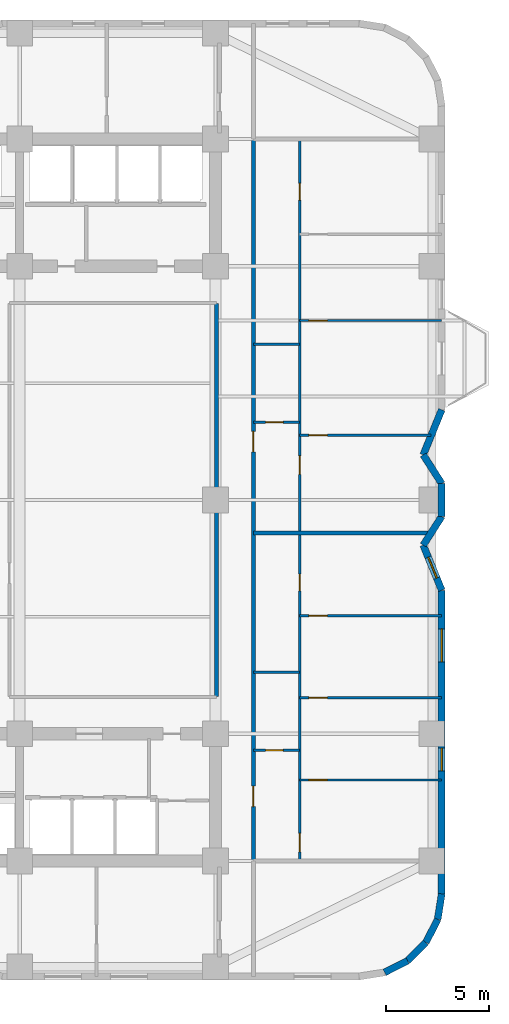
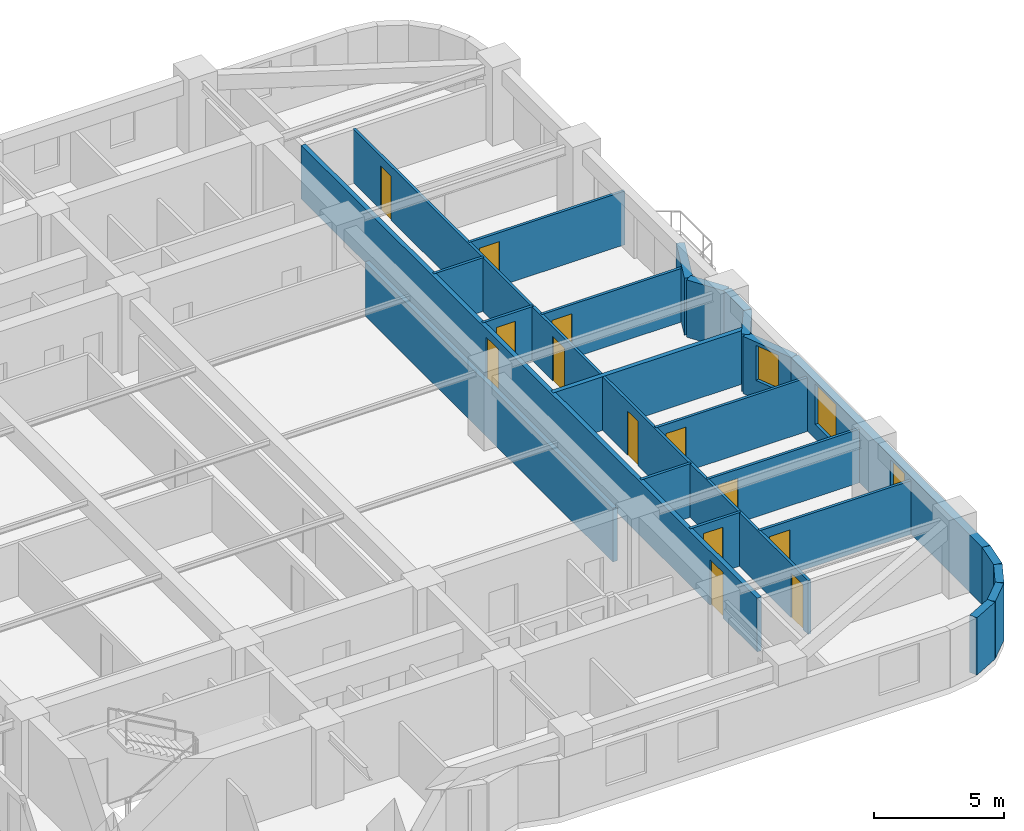
# One storey, part 5 of 10: 24 walls, 13 doors, 3 windows, 16 openings.
"""IFC4 building model written with IfcOpenShell, lengths in metres."""

from ifc_helpers import new_model, si_unit, direction, frame, frame_2d, origin, place, context, subcontext, project, spatial, rectangle, extrude, material, layer, layer_set, type_object, element, fill, save


model = new_model("IFC4")

# Units and contexts
model_context = context("Model", 3, precision=1e-05, world=origin(), true_north=direction((0.0, 1.0)))
body_context = subcontext(model_context, "Body", "Model", "MODEL_VIEW")
ifc_project = project(units=[si_unit("LENGTHUNIT", "METRE"), si_unit("AREAUNIT", "SQUARE_METRE"), si_unit("VOLUMEUNIT", "CUBIC_METRE"), si_unit("PLANEANGLEUNIT", "RADIAN"), si_unit("MASSUNIT", "GRAM", prefix="KILO")], contexts=[model_context])

# Site, building, storey
site_placement = place(None, origin())
site = spatial("IfcSite", under=ifc_project, at=site_placement, CompositionType="ELEMENT")
building_placement = place(site_placement, origin())
building = spatial("IfcBuilding", under=site, at=building_placement, Name="Svetorya Sky Lyceum", CompositionType="ELEMENT")
storey_placement = place(building_placement, frame((0.0, 0.0, 43.60009765625)))
storey = spatial("IfcBuildingStorey", under=building, at=storey_placement, Name="L10", CompositionType="ELEMENT", Elevation=43.60009765625)

# Walls
ifc_material_1 = material(Name="Putilovo limestone rainscreen on autoclaved cellular masonry", Category="masonry")
ifc_layer_1 = layer(ifc_material_1, 0.340087890625)
ifc_layer_set_1 = layer_set([ifc_layer_1], Name="Putilovo limestone rainscreen on autoclaved cellular masonry")
wall_type_1 = type_object("IfcWallType", Name="WL-EXT-340", PredefinedType="SOLIDWALL", material=ifc_layer_set_1)
for number, where, z_axis, x_axis, name in (
    (1, (61.04541015625, 5.167236328125, 0.0), (0.0, 0.0, 1.0), (0.890953769915, 0.454094020963, 0.0), "L10 Limestone Exterior Wall 13M"),
    (2, (62.168701171875, 5.73974609375, 0.0), (0.0, 0.0, 1.0), (0.707203598708, 0.707009950407, 0.0), "L10 Limestone Exterior Wall 14M"),
):
    element("IfcWall", number, at=place(storey_placement, frame(where, z_axis=z_axis, x_axis=x_axis)), inside=storey, type_object=wall_type_1, Name=name, PredefinedType="SOLIDWALL", context=body_context, shape_type="SweptSolid", body=[
        extrude(rectangle(XDim=1.2607421875, YDim=0.340087890625, at=frame_2d((0.63037109375, 0.0))), origin(), (0.0, 0.0, 1.0), 2.699951171875),
    ])
for number, where, z_axis, x_axis, name in (
    (3, (63.060302734375, 6.631103515625, 0.0), (0.0, 0.0, 1.0), (0.454015689056, 0.890993689142, 0.0), "L10 Limestone Exterior Wall 15M"),
    (4, (63.6328125, 7.754638671875, 0.0), (0.0, 0.0, 1.0), (0.15644975923, 0.987685918112, 0.0), "L10 Limestone Exterior Wall 16M"),
):
    element("IfcWall", number, at=place(storey_placement, frame(where, z_axis=z_axis, x_axis=x_axis)), inside=storey, type_object=wall_type_1, Name=name, PredefinedType="SOLIDWALL", context=body_context, shape_type="SweptSolid", body=[
        extrude(rectangle(XDim=1.260986328125, YDim=0.340087890625, at=frame_2d((0.63037109375, 0.0))), origin(), (0.0, 0.0, 1.0), 2.699951171875),
    ])

# Wall, openings, windows
wall_1_placement = place(storey_placement, frame((63.830078125, 9.0, 0.0), z_axis=(0.0, 0.0, 1.0), x_axis=(0.0, 1.0, 0.0)))
wall_1 = element("IfcWall", 5, at=wall_1_placement, inside=storey, type_object=wall_type_1, Name="L10 Limestone Exterior Wall 17M", PredefinedType="SOLIDWALL", context=body_context, shape_type="SweptSolid", body=[
    extrude(rectangle(XDim=14.800048828125, YDim=0.340087890625, at=frame_2d((7.39990234375, 0.0))), origin(), (0.0, 0.0, 1.0), 2.699951171875),
])
opening_1_placement = place(wall_1_placement, frame((6.0, 0.0, 0.889892578125)))
opening_1 = element("IfcOpeningElement", 6, at=opening_1_placement, cuts=wall_1, Name="Opening W-R3", PredefinedType="OPENING", context=body_context, shape_type="SweptSolid", body=[
    extrude(rectangle(XDim=1.10009765625, YDim=1.64990234375, at=frame_2d((0.550048828125, 0.824951171875))), frame((0.0, 0.179931640625, 0.0), z_axis=(0.0, -1.0, 0.0), x_axis=(1.0, 0.0, 0.0)), (0.0, 0.0, 1.0), 0.360107421875),
])
opening_2_placement = place(wall_1_placement, frame((11.3125, 0.0, 0.679931640625)))
opening_2 = element("IfcOpeningElement", 7, at=opening_2_placement, cuts=wall_1, Name="Opening W-R4", PredefinedType="OPENING", context=body_context, shape_type="SweptSolid", body=[
    extrude(rectangle(XDim=1.60009765625, YDim=1.89990234375, at=frame_2d((0.800048828125, 0.949951171875))), frame((0.0, 0.179931640625, 0.0), z_axis=(0.0, -1.0, 0.0), x_axis=(1.0, 0.0, 0.0)), (0.0, 0.0, 1.0), 0.360107421875),
])
ifc_material_2 = material(Name="Thermally broken aluminium frame with triple low-E glazing", Category="aluminium")
window_type_1 = type_object("IfcWindowType", Name="WN-RES-110", PartitioningType="SINGLE_PANEL", PredefinedType="WINDOW", material=ifc_material_2)
window_1_placement = place(opening_1_placement, origin())
window_1 = element("IfcWindow", 8, at=window_1_placement, inside=storey, type_object=window_type_1, Name="L10 Facade Window W-R3.17M.2", OverallHeight=1.64990234375, OverallWidth=1.10009765625, PartitioningType="SINGLE_PANEL", PredefinedType="WINDOW", context=body_context, shape_type="SweptSolid", body=[
    extrude(rectangle(XDim=1.10009765625, YDim=1.64990234375, at=frame_2d((0.550048828125, 0.824951171875))), frame((0.0, 0.030029296875, 0.0), z_axis=(0.0, -1.0, 0.0), x_axis=(1.0, 0.0, 0.0)), (0.0, 0.0, 1.0), 0.06005859375),
])
fill(opening_1, window_1)
window_type_2 = type_object("IfcWindowType", Name="WN-RES-160", PartitioningType="DOUBLE_PANEL_VERTICAL", PredefinedType="WINDOW", material=ifc_material_2)
window_2_placement = place(opening_2_placement, origin())
window_2 = element("IfcWindow", 9, at=window_2_placement, inside=storey, type_object=window_type_2, Name="L10 Facade Window W-R4.17M.1", OverallHeight=1.89990234375, OverallWidth=1.60009765625, PartitioningType="SINGLE_PANEL", PredefinedType="WINDOW", context=body_context, shape_type="SweptSolid", body=[
    extrude(rectangle(XDim=1.60009765625, YDim=1.89990234375, at=frame_2d((0.800048828125, 0.949951171875))), frame((0.0, 0.030029296875, 0.0), z_axis=(0.0, -1.0, 0.0), x_axis=(1.0, 0.0, 0.0)), (0.0, 0.0, 1.0), 0.06005859375),
])
fill(opening_2, window_2)

# Wall, opening, window
wall_2_placement = place(storey_placement, frame((63.830078125, 23.800048828125, 0.0), z_axis=(0.0, 0.0, 1.0), x_axis=(-0.378692835005, 0.925522412865, 0.0)))
wall_2 = element("IfcWall", 10, at=wall_2_placement, inside=storey, type_object=wall_type_1, Name="L10 Limestone Exterior Wall 18M", PredefinedType="SOLIDWALL", context=body_context, shape_type="SweptSolid", body=[
    extrude(rectangle(XDim=2.376953125, YDim=0.340087890625, at=frame_2d((1.1884765625, 0.0))), origin(), (0.0, 0.0, 1.0), 2.699951171875),
])
opening_3_placement = place(wall_2_placement, frame((0.638427734375, 0.0, 0.889892578125)))
opening_3 = element("IfcOpeningElement", 11, at=opening_3_placement, cuts=wall_2, Name="Opening W-R3", PredefinedType="OPENING", context=body_context, shape_type="SweptSolid", body=[
    extrude(rectangle(XDim=1.10009765625, YDim=1.64990234375, at=frame_2d((0.550048828125, 0.824951171875))), frame((0.0, 0.179931640625, 0.0), z_axis=(0.0, -1.0, 0.0), x_axis=(1.0, 0.0, 0.0)), (0.0, 0.0, 1.0), 0.360107421875),
])
window_3_placement = place(opening_3_placement, origin())
window_3 = element("IfcWindow", 12, at=window_3_placement, inside=storey, type_object=window_type_1, Name="L10 Facade Window W-R3.18M.1", OverallHeight=1.64990234375, OverallWidth=1.10009765625, PartitioningType="SINGLE_PANEL", PredefinedType="WINDOW", context=body_context, shape_type="SweptSolid", body=[
    extrude(rectangle(XDim=1.10009765625, YDim=1.64990234375, at=frame_2d((0.550048828125, 0.824951171875))), frame((0.0, 0.030029296875, 0.0), z_axis=(0.0, -1.0, 0.0), x_axis=(1.0, 0.0, 0.0)), (0.0, 0.0, 1.0), 0.06005859375),
])
fill(opening_3, window_3)

# Walls
wall_3_placement = place(storey_placement, frame((62.929931640625, 26.0, 0.0), z_axis=(0.0, 0.0, 1.0), x_axis=(0.540846555596, 0.841121277403, 0.0)))
element("IfcWall", 13, at=wall_3_placement, inside=storey, type_object=wall_type_1, Name="L10 Limestone Exterior Wall 19M", PredefinedType="SOLIDWALL", context=body_context, shape_type="SweptSolid", body=[
    extrude(rectangle(XDim=1.664306640625, YDim=0.340087890625, at=frame_2d((0.83203125, 0.0))), origin(), (0.0, 0.0, 1.0), 2.699951171875),
])
wall_4_placement = place(storey_placement, frame((63.830078125, 27.39990234375, 0.0), z_axis=(0.0, 0.0, 1.0), x_axis=(0.0, 1.0, 0.0)))
element("IfcWall", 14, at=wall_4_placement, inside=storey, type_object=wall_type_1, Name="L10 Limestone Exterior Wall 20M", PredefinedType="SOLIDWALL", context=body_context, shape_type="SweptSolid", body=[
    extrude(rectangle(XDim=1.60009765625, YDim=0.340087890625, at=frame_2d((0.800048828125, 0.0))), origin(), (0.0, 0.0, 1.0), 2.699951171875),
])
wall_5_placement = place(storey_placement, frame((63.830078125, 29.0, 0.0), z_axis=(0.0, 0.0, 1.0), x_axis=(-0.540846555596, 0.841121277403, 0.0)))
element("IfcWall", 15, at=wall_5_placement, inside=storey, type_object=wall_type_1, Name="L10 Limestone Exterior Wall 21M", PredefinedType="SOLIDWALL", context=body_context, shape_type="SweptSolid", body=[
    extrude(rectangle(XDim=1.664306640625, YDim=0.340087890625, at=frame_2d((0.83203125, 0.0))), origin(), (0.0, 0.0, 1.0), 2.699951171875),
])
wall_6_placement = place(storey_placement, frame((62.929931640625, 30.39990234375, 0.0), z_axis=(0.0, 0.0, 1.0), x_axis=(0.378656839344, 0.925537140269, 0.0)))
element("IfcWall", 16, at=wall_6_placement, inside=storey, type_object=wall_type_1, Name="L10 Limestone Exterior Wall 22M", PredefinedType="SOLIDWALL", context=body_context, shape_type="SweptSolid", body=[
    extrude(rectangle(XDim=2.377197265625, YDim=0.340087890625, at=frame_2d((1.1884765625, 0.0))), origin(), (0.0, 0.0, 1.0), 2.699951171875),
])

# Wall, opening, door
ifc_material_3 = material(Name="Twin-stud galvanized framing with double fireboard", Category="gypsum")
ifc_layer_2 = layer(ifc_material_3, 0.1201171875)
ifc_layer_set_2 = layer_set([ifc_layer_2], Name="Twin-stud galvanized framing with double fireboard")
wall_type_2 = type_object("IfcWallType", Name="WL-PART-120", PredefinedType="PARTITIONING", material=ifc_layer_set_2)
wall_7_placement = place(storey_placement, frame((54.64990234375, 16.0, 0.0), z_axis=(0.0, 0.0, 1.0), x_axis=(1.0, 0.0, 0.0)))
wall_7 = element("IfcWall", 17, at=wall_7_placement, inside=storey, type_object=wall_type_2, Name="L10 Interior Partition E1-WH1", PredefinedType="PARTITIONING", context=body_context, shape_type="SweptSolid", body=[
    extrude(rectangle(XDim=2.25, YDim=0.1201171875, at=frame_2d((1.125, 0.0))), origin(), (0.0, 0.0, 1.0), 2.52978515625),
])
opening_4_placement = place(wall_7_placement, frame((0.60009765625, 0.0, 0.0)))
opening_4 = element("IfcOpeningElement", 18, at=opening_4_placement, cuts=wall_7, Name="Opening D-BT1", PredefinedType="OPENING", context=body_context, shape_type="SweptSolid", body=[
    extrude(rectangle(XDim=0.85009765625, YDim=2.10009765625, at=frame_2d((0.425048828125, 1.050048828125))), frame((0.0, 0.070068359375, 0.0), z_axis=(0.0, -1.0, 0.0), x_axis=(1.0, 0.0, 0.0)), (0.0, 0.0, 1.0), 0.14013671875),
])
ifc_material_4 = material(Name="Moisture-resistant laminate bathroom door")
door_type_1 = type_object("IfcDoorType", Name="DR-WET-850", OperationType="SINGLE_SWING_LEFT", PredefinedType="DOOR", material=ifc_material_4)
door_1_placement = place(opening_4_placement, origin())
door_1 = element("IfcDoor", 19, at=door_1_placement, inside=storey, type_object=door_type_1, Name="Apartment E1 Bathroom Door", OperationType="SINGLE_SWING_RIGHT", OverallHeight=2.10009765625, OverallWidth=0.85009765625, PredefinedType="DOOR", context=body_context, shape_type="SweptSolid", body=[
    extrude(rectangle(XDim=0.85009765625, YDim=2.10009765625, at=frame_2d((0.425048828125, 1.050048828125))), frame((0.0, 0.02490234375, 0.0), z_axis=(0.0, -1.0, 0.0), x_axis=(1.0, 0.0, 0.0)), (0.0, 0.0, 1.0), 0.050048828125),
])
fill(opening_4, door_1)

# Wall
wall_8_placement = place(storey_placement, frame((54.64990234375, 19.800048828125, 0.0), z_axis=(0.0, 0.0, 1.0), x_axis=(1.0, 0.0, 0.0)))
element("IfcWall", 20, at=wall_8_placement, inside=storey, type_object=wall_type_2, Name="L10 Interior Partition E1-WH2", PredefinedType="PARTITIONING", context=body_context, shape_type="SweptSolid", body=[
    extrude(rectangle(XDim=2.25, YDim=0.1201171875, at=frame_2d((1.125, 0.0))), origin(), (0.0, 0.0, 1.0), 2.52978515625),
])

# Wall, opening, door
wall_9_placement = place(storey_placement, frame((56.89990234375, 14.550048828125, 0.0), z_axis=(0.0, 0.0, 1.0), x_axis=(1.0, 0.0, 0.0)))
wall_9 = element("IfcWall", 21, at=wall_9_placement, inside=storey, type_object=wall_type_2, Name="L10 Interior Partition E1-WL1", PredefinedType="PARTITIONING", context=body_context, shape_type="SweptSolid", body=[
    extrude(rectangle(XDim=6.93017578125, YDim=0.1201171875, at=frame_2d((3.465087890625, 0.0))), origin(), (0.0, 0.0, 1.0), 2.52978515625),
])
opening_5_placement = place(wall_9_placement, frame((0.449951171875, 0.0, 0.0)))
opening_5 = element("IfcOpeningElement", 22, at=opening_5_placement, cuts=wall_9, Name="Opening D-RM1", PredefinedType="OPENING", context=body_context, shape_type="SweptSolid", body=[
    extrude(rectangle(XDim=0.89990234375, YDim=2.10009765625, at=frame_2d((0.449951171875, 1.050048828125))), frame((0.0, 0.070068359375, 0.0), z_axis=(0.0, -1.0, 0.0), x_axis=(1.0, 0.0, 0.0)), (0.0, 0.0, 1.0), 0.14013671875),
])
ifc_material_5 = material(Name="Lacquered birch veneer internal door")
door_type_2 = type_object("IfcDoorType", Name="DR-INT-900", OperationType="SINGLE_SWING_LEFT", PredefinedType="DOOR", material=ifc_material_5)
door_2_placement = place(opening_5_placement, origin())
door_2 = element("IfcDoor", 23, at=door_2_placement, inside=storey, type_object=door_type_2, Name="Apartment E1 Master Bedroom Door", OperationType="SINGLE_SWING_RIGHT", OverallHeight=2.10009765625, OverallWidth=0.89990234375, PredefinedType="DOOR", context=body_context, shape_type="SweptSolid", body=[
    extrude(rectangle(XDim=0.89990234375, YDim=2.10009765625, at=frame_2d((0.449951171875, 1.050048828125))), frame((0.0, 0.02490234375, 0.0), z_axis=(0.0, -1.0, 0.0), x_axis=(1.0, 0.0, 0.0)), (0.0, 0.0, 1.0), 0.050048828125),
])
fill(opening_5, door_2)

wall_10_placement = place(storey_placement, frame((56.89990234375, 18.550048828125, 0.0), z_axis=(0.0, 0.0, 1.0), x_axis=(1.0, 0.0, 0.0)))
wall_10 = element("IfcWall", 24, at=wall_10_placement, inside=storey, type_object=wall_type_2, Name="L10 Interior Partition E1-WL2", PredefinedType="PARTITIONING", context=body_context, shape_type="SweptSolid", body=[
    extrude(rectangle(XDim=6.93017578125, YDim=0.1201171875, at=frame_2d((3.465087890625, 0.0))), origin(), (0.0, 0.0, 1.0), 2.52978515625),
])
opening_6_placement = place(wall_10_placement, frame((0.449951171875, 0.0, 0.0)))
opening_6 = element("IfcOpeningElement", 25, at=opening_6_placement, cuts=wall_10, Name="Opening D-RM1", PredefinedType="OPENING", context=body_context, shape_type="SweptSolid", body=[
    extrude(rectangle(XDim=0.89990234375, YDim=2.10009765625, at=frame_2d((0.449951171875, 1.050048828125))), frame((0.0, 0.070068359375, 0.0), z_axis=(0.0, -1.0, 0.0), x_axis=(1.0, 0.0, 0.0)), (0.0, 0.0, 1.0), 0.14013671875),
])
door_3_placement = place(opening_6_placement, origin())
door_3 = element("IfcDoor", 26, at=door_3_placement, inside=storey, type_object=door_type_2, Name="Apartment E1 Bedroom 2 Door", OperationType="SINGLE_SWING_LEFT", OverallHeight=2.10009765625, OverallWidth=0.89990234375, PredefinedType="DOOR", context=body_context, shape_type="SweptSolid", body=[
    extrude(rectangle(XDim=0.89990234375, YDim=2.10009765625, at=frame_2d((0.449951171875, 1.050048828125))), frame((0.0, 0.02490234375, 0.0), z_axis=(0.0, -1.0, 0.0), x_axis=(1.0, 0.0, 0.0)), (0.0, 0.0, 1.0), 0.050048828125),
])
fill(opening_6, door_3)

wall_11_placement = place(storey_placement, frame((56.89990234375, 22.550048828125, 0.0), z_axis=(0.0, 0.0, 1.0), x_axis=(1.0, 0.0, 0.0)))
wall_11 = element("IfcWall", 27, at=wall_11_placement, inside=storey, type_object=wall_type_2, Name="L10 Interior Partition E1-WL3", PredefinedType="PARTITIONING", context=body_context, shape_type="SweptSolid", body=[
    extrude(rectangle(XDim=6.93017578125, YDim=0.1201171875, at=frame_2d((3.465087890625, 0.0))), origin(), (0.0, 0.0, 1.0), 2.52978515625),
])
opening_7_placement = place(wall_11_placement, frame((0.449951171875, 0.0, 0.0)))
opening_7 = element("IfcOpeningElement", 28, at=opening_7_placement, cuts=wall_11, Name="Opening D-RM1", PredefinedType="OPENING", context=body_context, shape_type="SweptSolid", body=[
    extrude(rectangle(XDim=0.89990234375, YDim=2.10009765625, at=frame_2d((0.449951171875, 1.050048828125))), frame((0.0, 0.070068359375, 0.0), z_axis=(0.0, -1.0, 0.0), x_axis=(1.0, 0.0, 0.0)), (0.0, 0.0, 1.0), 0.14013671875),
])
door_4_placement = place(opening_7_placement, origin())
door_4 = element("IfcDoor", 29, at=door_4_placement, inside=storey, type_object=door_type_2, Name="Apartment E1 Bedroom 3 Door", OperationType="SINGLE_SWING_RIGHT", OverallHeight=2.10009765625, OverallWidth=0.89990234375, PredefinedType="DOOR", context=body_context, shape_type="SweptSolid", body=[
    extrude(rectangle(XDim=0.89990234375, YDim=2.10009765625, at=frame_2d((0.449951171875, 1.050048828125))), frame((0.0, 0.02490234375, 0.0), z_axis=(0.0, -1.0, 0.0), x_axis=(1.0, 0.0, 0.0)), (0.0, 0.0, 1.0), 0.050048828125),
])
fill(opening_7, door_4)

# Wall, openings, doors
wall_12_placement = place(storey_placement, frame((56.89990234375, 10.639892578125, 0.0), z_axis=(0.0, 0.0, 1.0), x_axis=(0.0, 1.0, 0.0)))
wall_12 = element("IfcWall", 30, at=wall_12_placement, inside=storey, type_object=wall_type_2, Name="L10 Interior Partition E1-WV", PredefinedType="PARTITIONING", context=body_context, shape_type="SweptSolid", body=[
    extrude(rectangle(XDim=15.920166015625, YDim=0.1201171875, at=frame_2d((7.9599609375, 0.0))), origin(), (0.0, 0.0, 1.0), 2.52978515625),
])
opening_8_placement = place(wall_12_placement, frame((0.409912109375, 0.0, 0.0)))
opening_8 = element("IfcOpeningElement", 31, at=opening_8_placement, cuts=wall_12, Name="Opening D-RM1", PredefinedType="OPENING", context=body_context, shape_type="SweptSolid", body=[
    extrude(rectangle(XDim=0.89990234375, YDim=2.10009765625, at=frame_2d((0.449951171875, 1.050048828125))), frame((0.0, 0.070068359375, 0.0), z_axis=(0.0, -1.0, 0.0), x_axis=(1.0, 0.0, 0.0)), (0.0, 0.0, 1.0), 0.14013671875),
])
opening_9_placement = place(wall_12_placement, frame((13.125, 0.0, 0.0)))
opening_9 = element("IfcOpeningElement", 32, at=opening_9_placement, cuts=wall_12, Name="Opening D-BT2", PredefinedType="OPENING", context=body_context, shape_type="SweptSolid", body=[
    extrude(rectangle(XDim=0.820068359375, YDim=2.080078125, at=frame_2d((0.41015625, 1.0400390625))), frame((0.0, 0.070068359375, 0.0), z_axis=(0.0, -1.0, 0.0), x_axis=(1.0, 0.0, 0.0)), (0.0, 0.0, 1.0), 0.14013671875),
])
door_5_placement = place(opening_8_placement, origin())
door_5 = element("IfcDoor", 33, at=door_5_placement, inside=storey, type_object=door_type_2, Name="Apartment E1 Living Door", OperationType="SINGLE_SWING_LEFT", OverallHeight=2.10009765625, OverallWidth=0.89990234375, PredefinedType="DOOR", context=body_context, shape_type="SweptSolid", body=[
    extrude(rectangle(XDim=0.89990234375, YDim=2.10009765625, at=frame_2d((0.449951171875, 1.050048828125))), frame((0.0, 0.02490234375, 0.0), z_axis=(0.0, -1.0, 0.0), x_axis=(1.0, 0.0, 0.0)), (0.0, 0.0, 1.0), 0.050048828125),
])
fill(opening_8, door_5)
ifc_material_6 = material(Name="Compact moisture-resistant laminate closet door")
door_type_3 = type_object("IfcDoorType", Name="DR-WET-820", OperationType="SINGLE_SWING_LEFT", PredefinedType="DOOR", material=ifc_material_6)
door_6_placement = place(opening_9_placement, origin())
door_6 = element("IfcDoor", 34, at=door_6_placement, inside=storey, type_object=door_type_3, Name="Apartment E1 Study Door", OperationType="SINGLE_SWING_RIGHT", OverallHeight=2.080078125, OverallWidth=0.820068359375, PredefinedType="DOOR", context=body_context, shape_type="SweptSolid", body=[
    extrude(rectangle(XDim=0.820068359375, YDim=2.080078125, at=frame_2d((0.41015625, 1.0400390625))), frame((0.0, 0.02490234375, 0.0), z_axis=(0.0, -1.0, 0.0), x_axis=(1.0, 0.0, 0.0)), (0.0, 0.0, 1.0), 0.050048828125),
])
fill(opening_9, door_6)

# Wall, opening, door
wall_13_placement = place(storey_placement, frame((54.64990234375, 32.0, 0.0), z_axis=(0.0, 0.0, 1.0), x_axis=(1.0, 0.0, 0.0)))
wall_13 = element("IfcWall", 35, at=wall_13_placement, inside=storey, type_object=wall_type_2, Name="L10 Interior Partition E2-WH1", PredefinedType="PARTITIONING", context=body_context, shape_type="SweptSolid", body=[
    extrude(rectangle(XDim=2.25, YDim=0.1201171875, at=frame_2d((1.125, 0.0))), origin(), (0.0, 0.0, 1.0), 2.52978515625),
])
opening_10_placement = place(wall_13_placement, frame((0.60009765625, 0.0, 0.0)))
opening_10 = element("IfcOpeningElement", 36, at=opening_10_placement, cuts=wall_13, Name="Opening D-BT1", PredefinedType="OPENING", context=body_context, shape_type="SweptSolid", body=[
    extrude(rectangle(XDim=0.85009765625, YDim=2.10009765625, at=frame_2d((0.425048828125, 1.050048828125))), frame((0.0, 0.070068359375, 0.0), z_axis=(0.0, -1.0, 0.0), x_axis=(1.0, 0.0, 0.0)), (0.0, 0.0, 1.0), 0.14013671875),
])
door_7_placement = place(opening_10_placement, origin())
door_7 = element("IfcDoor", 37, at=door_7_placement, inside=storey, type_object=door_type_1, Name="Apartment E2 Bathroom Door", OperationType="SINGLE_SWING_LEFT", OverallHeight=2.10009765625, OverallWidth=0.85009765625, PredefinedType="DOOR", context=body_context, shape_type="SweptSolid", body=[
    extrude(rectangle(XDim=0.85009765625, YDim=2.10009765625, at=frame_2d((0.425048828125, 1.050048828125))), frame((0.0, 0.02490234375, 0.0), z_axis=(0.0, -1.0, 0.0), x_axis=(1.0, 0.0, 0.0)), (0.0, 0.0, 1.0), 0.050048828125),
])
fill(opening_10, door_7)

# Wall
wall_14_placement = place(storey_placement, frame((54.64990234375, 35.800048828125, 0.0), z_axis=(0.0, 0.0, 1.0), x_axis=(1.0, 0.0, 0.0)))
element("IfcWall", 38, at=wall_14_placement, inside=storey, type_object=wall_type_2, Name="L10 Interior Partition E2-WH2", PredefinedType="PARTITIONING", context=body_context, shape_type="SweptSolid", body=[
    extrude(rectangle(XDim=2.25, YDim=0.1201171875, at=frame_2d((1.125, 0.0))), origin(), (0.0, 0.0, 1.0), 2.52978515625),
])

# Wall, opening, door
wall_15_placement = place(storey_placement, frame((56.89990234375, 31.35009765625, 0.0), z_axis=(0.0, 0.0, 1.0), x_axis=(1.0, 0.0, 0.0)))
wall_15 = element("IfcWall", 39, at=wall_15_placement, inside=storey, type_object=wall_type_2, Name="L10 Interior Partition E2-WL1", PredefinedType="PARTITIONING", context=body_context, shape_type="SweptSolid", body=[
    extrude(rectangle(XDim=6.418701171875, YDim=0.1201171875, at=frame_2d((3.20947265625, 0.0))), origin(), (0.0, 0.0, 1.0), 2.52978515625),
])
opening_11_placement = place(wall_15_placement, frame((0.449951171875, 0.0, 0.0)))
opening_11 = element("IfcOpeningElement", 40, at=opening_11_placement, cuts=wall_15, Name="Opening D-RM1", PredefinedType="OPENING", context=body_context, shape_type="SweptSolid", body=[
    extrude(rectangle(XDim=0.89990234375, YDim=2.10009765625, at=frame_2d((0.449951171875, 1.050048828125))), frame((0.0, 0.070068359375, 0.0), z_axis=(0.0, -1.0, 0.0), x_axis=(1.0, 0.0, 0.0)), (0.0, 0.0, 1.0), 0.14013671875),
])
door_8_placement = place(opening_11_placement, origin())
door_8 = element("IfcDoor", 41, at=door_8_placement, inside=storey, type_object=door_type_2, Name="Apartment E2 Master Bedroom Door", OperationType="SINGLE_SWING_LEFT", OverallHeight=2.10009765625, OverallWidth=0.89990234375, PredefinedType="DOOR", context=body_context, shape_type="SweptSolid", body=[
    extrude(rectangle(XDim=0.89990234375, YDim=2.10009765625, at=frame_2d((0.449951171875, 1.050048828125))), frame((0.0, 0.02490234375, 0.0), z_axis=(0.0, -1.0, 0.0), x_axis=(1.0, 0.0, 0.0)), (0.0, 0.0, 1.0), 0.050048828125),
])
fill(opening_11, door_8)

wall_16_placement = place(storey_placement, frame((56.89990234375, 36.949951171875, 0.0), z_axis=(0.0, 0.0, 1.0), x_axis=(1.0, 0.0, 0.0)))
wall_16 = element("IfcWall", 42, at=wall_16_placement, inside=storey, type_object=wall_type_2, Name="L10 Interior Partition E2-WL2", PredefinedType="PARTITIONING", context=body_context, shape_type="SweptSolid", body=[
    extrude(rectangle(XDim=6.93017578125, YDim=0.1201171875, at=frame_2d((3.465087890625, 0.0))), origin(), (0.0, 0.0, 1.0), 2.52978515625),
])
opening_12_placement = place(wall_16_placement, frame((0.449951171875, 0.0, 0.0)))
opening_12 = element("IfcOpeningElement", 43, at=opening_12_placement, cuts=wall_16, Name="Opening D-RM1", PredefinedType="OPENING", context=body_context, shape_type="SweptSolid", body=[
    extrude(rectangle(XDim=0.89990234375, YDim=2.10009765625, at=frame_2d((0.449951171875, 1.050048828125))), frame((0.0, 0.070068359375, 0.0), z_axis=(0.0, -1.0, 0.0), x_axis=(1.0, 0.0, 0.0)), (0.0, 0.0, 1.0), 0.14013671875),
])
door_9_placement = place(opening_12_placement, origin())
door_9 = element("IfcDoor", 44, at=door_9_placement, inside=storey, type_object=door_type_2, Name="Apartment E2 Bedroom 2 Door", OperationType="SINGLE_SWING_RIGHT", OverallHeight=2.10009765625, OverallWidth=0.89990234375, PredefinedType="DOOR", context=body_context, shape_type="SweptSolid", body=[
    extrude(rectangle(XDim=0.89990234375, YDim=2.10009765625, at=frame_2d((0.449951171875, 1.050048828125))), frame((0.0, 0.02490234375, 0.0), z_axis=(0.0, -1.0, 0.0), x_axis=(1.0, 0.0, 0.0)), (0.0, 0.0, 1.0), 0.050048828125),
])
fill(opening_12, door_9)

# Wall, openings, doors
wall_17_placement = place(storey_placement, frame((56.89990234375, 26.639892578125, 0.0), z_axis=(0.0, 0.0, 1.0), x_axis=(0.0, 1.0, 0.0)))
wall_17 = element("IfcWall", 45, at=wall_17_placement, inside=storey, type_object=wall_type_2, Name="L10 Interior Partition E2-WV", PredefinedType="PARTITIONING", context=body_context, shape_type="SweptSolid", body=[
    extrude(rectangle(XDim=19.1201171875, YDim=0.1201171875, at=frame_2d((9.56005859375, 0.0))), origin(), (0.0, 0.0, 1.0), 2.52978515625),
])
opening_13_placement = place(wall_17_placement, frame((2.81005859375, 0.0, 0.0)))
opening_13 = element("IfcOpeningElement", 46, at=opening_13_placement, cuts=wall_17, Name="Opening D-RM1", PredefinedType="OPENING", context=body_context, shape_type="SweptSolid", body=[
    extrude(rectangle(XDim=0.89990234375, YDim=2.10009765625, at=frame_2d((0.449951171875, 1.050048828125))), frame((0.0, 0.070068359375, 0.0), z_axis=(0.0, -1.0, 0.0), x_axis=(1.0, 0.0, 0.0)), (0.0, 0.0, 1.0), 0.14013671875),
])
opening_14_placement = place(wall_17_placement, frame((16.179931640625, 0.0, 0.0)))
opening_14 = element("IfcOpeningElement", 47, at=opening_14_placement, cuts=wall_17, Name="Opening D-BT2", PredefinedType="OPENING", context=body_context, shape_type="SweptSolid", body=[
    extrude(rectangle(XDim=0.820068359375, YDim=2.080078125, at=frame_2d((0.41015625, 1.0400390625))), frame((0.0, 0.070068359375, 0.0), z_axis=(0.0, -1.0, 0.0), x_axis=(1.0, 0.0, 0.0)), (0.0, 0.0, 1.0), 0.14013671875),
])
door_10_placement = place(opening_13_placement, origin())
door_10 = element("IfcDoor", 48, at=door_10_placement, inside=storey, type_object=door_type_2, Name="Apartment E2 Living Door", OperationType="SINGLE_SWING_RIGHT", OverallHeight=2.10009765625, OverallWidth=0.89990234375, PredefinedType="DOOR", context=body_context, shape_type="SweptSolid", body=[
    extrude(rectangle(XDim=0.89990234375, YDim=2.10009765625, at=frame_2d((0.449951171875, 1.050048828125))), frame((0.0, 0.02490234375, 0.0), z_axis=(0.0, -1.0, 0.0), x_axis=(1.0, 0.0, 0.0)), (0.0, 0.0, 1.0), 0.050048828125),
])
fill(opening_13, door_10)
door_11_placement = place(opening_14_placement, origin())
door_11 = element("IfcDoor", 49, at=door_11_placement, inside=storey, type_object=door_type_3, Name="Apartment E2 Study Door", OperationType="SINGLE_SWING_LEFT", OverallHeight=2.080078125, OverallWidth=0.820068359375, PredefinedType="DOOR", context=body_context, shape_type="SweptSolid", body=[
    extrude(rectangle(XDim=0.820068359375, YDim=2.080078125, at=frame_2d((0.41015625, 1.0400390625))), frame((0.0, 0.02490234375, 0.0), z_axis=(0.0, -1.0, 0.0), x_axis=(1.0, 0.0, 0.0)), (0.0, 0.0, 1.0), 0.050048828125),
])
fill(opening_14, door_11)

# Walls
ifc_material_7 = material(Name="Autoclaved cellular masonry blockwork with gypsum plaster", Category="masonry")
ifc_layer_3 = layer(ifc_material_7, 0.199951171875)
ifc_layer_set_3 = layer_set([ifc_layer_3], Name="Autoclaved cellular masonry blockwork with gypsum plaster")
wall_type_3 = type_object("IfcWallType", Name="WL-PART-200", PredefinedType="PARTITIONING", material=ifc_layer_set_3)
wall_18_placement = place(storey_placement, frame((52.85009765625, 18.6298828125, 0.0), z_axis=(0.0, 0.0, 1.0), x_axis=(0.0, 1.0, 0.0)))
element("IfcWall", 50, at=wall_18_placement, inside=storey, type_object=wall_type_3, Name="L10 Interior Partition E-CEN-SEP", PredefinedType="PARTITIONING", context=body_context, shape_type="SweptSolid", body=[
    extrude(rectangle(XDim=19.14013671875, YDim=0.199951171875, at=frame_2d((9.570068359375, 0.0))), origin(), (0.0, 0.0, 1.0), 2.52978515625),
])
wall_19_placement = place(storey_placement, frame((54.64990234375, 26.60009765625, 0.0), z_axis=(0.0, 0.0, 1.0), x_axis=(1.0, 0.0, 0.0)))
element("IfcWall", 51, at=wall_19_placement, inside=storey, type_object=wall_type_3, Name="L10 Interior Partition E-PARTY-1", PredefinedType="PARTITIONING", context=body_context, shape_type="SweptSolid", body=[
    extrude(rectangle(XDim=8.665771484375, YDim=0.199951171875, at=frame_2d((4.3330078125, 0.0))), origin(), (0.0, 0.0, 1.0), 2.52978515625),
])

# Wall, openings, doors
wall_20_placement = place(storey_placement, frame((54.64990234375, 10.60009765625, 0.0), z_axis=(0.0, 0.0, 1.0), x_axis=(0.0, 1.0, 0.0)))
wall_20 = element("IfcWall", 52, at=wall_20_placement, inside=storey, type_object=wall_type_3, Name="L10 Interior Partition E-CORRW", PredefinedType="PARTITIONING", context=body_context, shape_type="SweptSolid", body=[
    extrude(rectangle(XDim=35.199951171875, YDim=0.199951171875, at=frame_2d((17.60009765625, 0.0))), origin(), (0.0, 0.0, 1.0), 2.52978515625),
])
opening_15_placement = place(wall_20_placement, frame((2.64990234375, 0.0, 0.0)))
opening_15 = element("IfcOpeningElement", 53, at=opening_15_placement, cuts=wall_20, Name="Opening D-APT1", PredefinedType="OPENING", context=body_context, shape_type="SweptSolid", body=[
    extrude(rectangle(XDim=1.0, YDim=2.14990234375, at=frame_2d((0.5, 1.074951171875))), frame((0.0, 0.10986328125, 0.0), z_axis=(0.0, -1.0, 0.0), x_axis=(1.0, 0.0, 0.0)), (0.0, 0.0, 1.0), 0.219970703125),
])
opening_16_placement = place(wall_20_placement, frame((19.949951171875, 0.0, 0.0)))
opening_16 = element("IfcOpeningElement", 54, at=opening_16_placement, cuts=wall_20, Name="Opening D-APT1", PredefinedType="OPENING", context=body_context, shape_type="SweptSolid", body=[
    extrude(rectangle(XDim=1.0, YDim=2.14990234375, at=frame_2d((0.5, 1.074951171875))), frame((0.0, 0.10986328125, 0.0), z_axis=(0.0, -1.0, 0.0), x_axis=(1.0, 0.0, 0.0)), (0.0, 0.0, 1.0), 0.219970703125),
])
ifc_material_8 = material(Name="Insulated oak-veneered apartment entrance door")
door_type_4 = type_object("IfcDoorType", Name="DR-APT-1000", OperationType="SINGLE_SWING_LEFT", PredefinedType="DOOR", material=ifc_material_8)
door_12_placement = place(opening_15_placement, origin())
door_12 = element("IfcDoor", 55, at=door_12_placement, inside=storey, type_object=door_type_4, Name="L10 Apartment E1 Entrance Door", OperationType="SINGLE_SWING_RIGHT", OverallHeight=2.14990234375, OverallWidth=1.0, PredefinedType="DOOR", context=body_context, shape_type="SweptSolid", body=[
    extrude(rectangle(XDim=1.0, YDim=2.14990234375, at=frame_2d((0.5, 1.074951171875))), frame((0.0, 0.02490234375, 0.0), z_axis=(0.0, -1.0, 0.0), x_axis=(1.0, 0.0, 0.0)), (0.0, 0.0, 1.0), 0.050048828125),
])
fill(opening_15, door_12)
door_13_placement = place(opening_16_placement, origin())
door_13 = element("IfcDoor", 56, at=door_13_placement, inside=storey, type_object=door_type_4, Name="L10 Apartment E2 Entrance Door", OperationType="SINGLE_SWING_LEFT", OverallHeight=2.14990234375, OverallWidth=1.0, PredefinedType="DOOR", context=body_context, shape_type="SweptSolid", body=[
    extrude(rectangle(XDim=1.0, YDim=2.14990234375, at=frame_2d((0.5, 1.074951171875))), frame((0.0, 0.02490234375, 0.0), z_axis=(0.0, -1.0, 0.0), x_axis=(1.0, 0.0, 0.0)), (0.0, 0.0, 1.0), 0.050048828125),
])
fill(opening_16, door_13)

save(model, "model.ifc")
